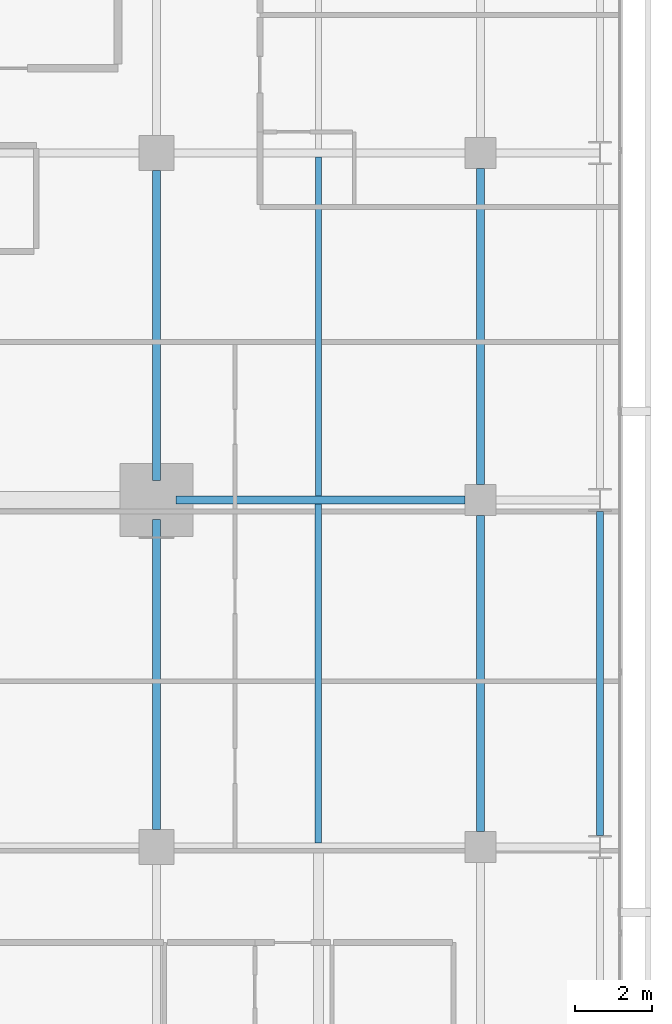
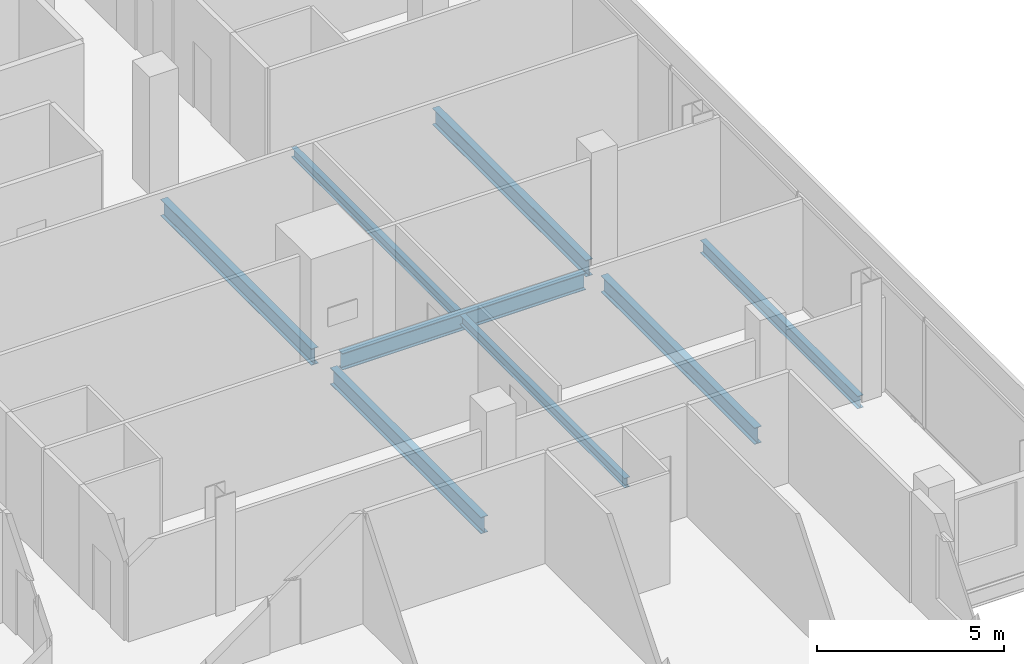
# One storey, part 16 of 34: 8 beams.
"""IFC4 building model written with IfcOpenShell, lengths in metres."""

from ifc_helpers import new_model, si_unit, direction, frame, origin, origin_2d, place, context, subcontext, project, spatial, i_section, extrude, material, material_profile, profile_set, type_object, element, save


model = new_model("IFC4")

# Units and contexts
model_context = context("Model", 3, precision=1e-05, world=origin(), true_north=direction((0.0, 1.0)))
body_context = subcontext(model_context, "Body", "Model", "MODEL_VIEW")
ifc_project = project(units=[si_unit("LENGTHUNIT", "METRE"), si_unit("AREAUNIT", "SQUARE_METRE"), si_unit("VOLUMEUNIT", "CUBIC_METRE"), si_unit("PLANEANGLEUNIT", "RADIAN"), si_unit("MASSUNIT", "GRAM", prefix="KILO")], contexts=[model_context])

# Site, building, storey
site_placement = place(None, origin())
site = spatial("IfcSite", under=ifc_project, at=site_placement, CompositionType="ELEMENT")
building_placement = place(site_placement, origin())
building = spatial("IfcBuilding", under=site, at=building_placement, Name="Maruvema Waterfront Hotel and Observation Tower", CompositionType="ELEMENT")
storey_placement = place(building_placement, frame((0.0, 0.0, 212.10009765625)))
storey = spatial("IfcBuildingStorey", under=building, at=storey_placement, Name="L52", CompositionType="ELEMENT", Elevation=212.10009765625)

# Beams
ifc_material_1 = material(Name="Steel ASTM A572 Grade 50", Category="steel")
ifc_material_profile_1 = material_profile(ifc_material_1, i_section(OverallWidth=0.178955078125, OverallDepth=0.409912109375, WebThickness=0.0087890625, FlangeThickness=0.014404296875, FilletRadius=0.014892578125, at=origin_2d()), Name="W410x67.0")
ifc_profile_set_1 = profile_set([ifc_material_profile_1], Name="Steel ASTM A572 Grade 50")
beam_type_1 = type_object("IfcBeamType", Name="Perimeter Spandrel Beam W410x67.0", PredefinedType="SPANDREL", material=ifc_profile_set_1)
beam_1_placement = place(storey_placement, frame((61.89990234375, 18.300048828125, -0.445068359375), z_axis=(0.0, 1.0, 0.0), x_axis=(-1.0, 0.0, 0.0)))
element("IfcBeam", 1, at=beam_1_placement, inside=storey, type_object=beam_type_1, Name="L52 Floor Girder NS-30", PredefinedType="SPANDREL", context=body_context, shape_type="SweptSolid", body=[
    extrude(i_section(OverallWidth=0.178955078125, OverallDepth=0.409912109375, WebThickness=0.0087890625, FlangeThickness=0.014404296875, FilletRadius=0.014892578125, at=origin_2d()), origin(), (0.0, 0.0, 1.0), 8.39990234375),
])
ifc_material_2 = material(Name="Steel ASTM A572 Grade 50", Category="steel")
ifc_material_profile_2 = material_profile(ifc_material_2, i_section(OverallWidth=0.2109375, OverallDepth=0.5390625, WebThickness=0.01171875, FlangeThickness=0.018798828125, FilletRadius=0.014892578125, at=origin_2d()), Name="W530x109.0")
ifc_profile_set_2 = profile_set([ifc_material_profile_2], Name="Steel ASTM A572 Grade 50")
beam_type_2 = type_object("IfcBeamType", Name="Primary Floor Girder W530x109.0", PredefinedType="BEAM", material=ifc_profile_set_2)
beam_2_placement = place(storey_placement, frame((50.89990234375, 27.0, -0.509521484375), z_axis=(1.0, 0.0, 0.0), x_axis=(0.0, 1.0, 0.0)))
element("IfcBeam", 2, at=beam_2_placement, inside=storey, type_object=beam_type_2, Name="L52 Floor Girder EW-21", PredefinedType="BEAM", context=body_context, shape_type="SweptSolid", body=[
    extrude(i_section(OverallWidth=0.2109375, OverallDepth=0.5390625, WebThickness=0.01171875, FlangeThickness=0.018798828125, FilletRadius=0.014892578125, at=origin_2d()), origin(), (0.0, 0.0, 1.0), 7.5),
])
for number, where, z_axis, x_axis, name in (
    (3, (50.39990234375, 18.449951171875, -0.509521484375), (0.0, 1.0, 0.0), (-1.0, 0.0, 0.0), "L52 Floor Girder NS-22"),
    (4, (50.39990234375, 27.5, -0.509521484375), (0.0, 1.0, 0.0), (-1.0, 0.0, 0.0), "L52 Floor Girder NS-23"),
):
    element("IfcBeam", number, at=place(storey_placement, frame(where, z_axis=z_axis, x_axis=x_axis)), inside=storey, type_object=beam_type_2, Name=name, PredefinedType="BEAM", context=body_context, shape_type="SweptSolid", body=[
        extrude(i_section(OverallWidth=0.2109375, OverallDepth=0.5390625, WebThickness=0.01171875, FlangeThickness=0.018798828125, FilletRadius=0.014892578125, at=origin_2d()), origin(), (0.0, 0.0, 1.0), 8.050048828125),
    ])
for number, where, z_axis, x_axis, name in (
    (5, (58.800048828125, 18.39990234375, -0.509521484375), (0.0, 1.0, 0.0), (-1.0, 0.0, 0.0), "L52 Floor Girder NS-26"),
    (6, (58.800048828125, 27.39990234375, -0.509521484375), (0.0, 1.0, 0.0), (-1.0, 0.0, 0.0), "L52 Floor Girder NS-27"),
):
    element("IfcBeam", number, at=place(storey_placement, frame(where, z_axis=z_axis, x_axis=x_axis)), inside=storey, type_object=beam_type_2, Name=name, PredefinedType="BEAM", context=body_context, shape_type="SweptSolid", body=[
        extrude(i_section(OverallWidth=0.2109375, OverallDepth=0.5390625, WebThickness=0.01171875, FlangeThickness=0.018798828125, FilletRadius=0.014892578125, at=origin_2d()), origin(), (0.0, 0.0, 1.0), 8.2001953125),
    ])
ifc_material_3 = material(Name="Steel ASTM A572 Grade 50", Category="steel")
ifc_material_profile_3 = material_profile(ifc_material_3, i_section(OverallWidth=0.1650390625, OverallDepth=0.31005859375, WebThickness=0.005859375, FlangeThickness=0.009765625, FilletRadius=0.012939453125, at=origin_2d()), Name="W310x38.7")
ifc_profile_set_3 = profile_set([ifc_material_profile_3], Name="Steel ASTM A572 Grade 50")
beam_type_3 = type_object("IfcBeamType", Name="Secondary Floor Joist W310x38.7", PredefinedType="JOIST", material=ifc_profile_set_3)
beam_3_placement = place(storey_placement, frame((54.60009765625, 27.10546875, -0.39501953125), z_axis=(0.0, 1.0, 0.0), x_axis=(-1.0, 0.0, 0.0)))
element("IfcBeam", 7, at=beam_3_placement, inside=storey, type_object=beam_type_3, Name="L52 Secondary Floor Joist JS-13", PredefinedType="JOIST", context=body_context, shape_type="SweptSolid", body=[
    extrude(i_section(OverallWidth=0.1650390625, OverallDepth=0.31005859375, WebThickness=0.005859375, FlangeThickness=0.009765625, FilletRadius=0.012939453125, at=origin_2d()), origin(), (0.0, 0.0, 1.0), 8.7890625),
])
ifc_material_4 = material(Name="Steel ASTM A572 Grade 50", Category="steel")
ifc_material_profile_4 = material_profile(ifc_material_4, i_section(OverallWidth=0.1669921875, OverallDepth=0.31689453125, WebThickness=0.007568359375, FlangeThickness=0.01318359375, FilletRadius=0.012939453125, at=origin_2d()), Name="W310x52.0")
ifc_profile_set_4 = profile_set([ifc_material_profile_4], Name="Steel ASTM A572 Grade 50")
beam_type_4 = type_object("IfcBeamType", Name="Secondary Floor Joist W310x52.0", PredefinedType="JOIST", material=ifc_profile_set_4)
beam_4_placement = place(storey_placement, frame((54.60009765625, 18.10546875, -0.398681640625), z_axis=(0.0, 1.0, 0.0), x_axis=(-1.0, 0.0, 0.0)))
element("IfcBeam", 8, at=beam_4_placement, inside=storey, type_object=beam_type_4, Name="L52 Secondary Floor Joist JS-12", PredefinedType="JOIST", context=body_context, shape_type="SweptSolid", body=[
    extrude(i_section(OverallWidth=0.1669921875, OverallDepth=0.31689453125, WebThickness=0.007568359375, FlangeThickness=0.01318359375, FilletRadius=0.012939453125, at=origin_2d()), origin(), (0.0, 0.0, 1.0), 8.7890625),
])

save(model, "model.ifc")
